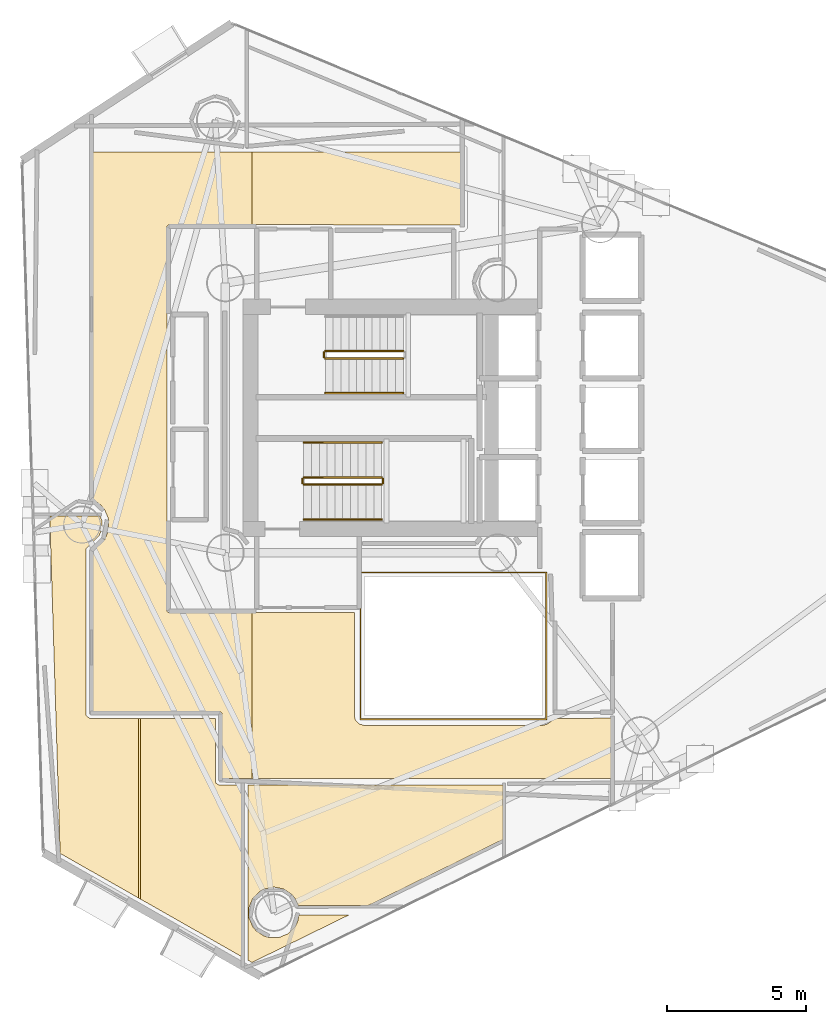
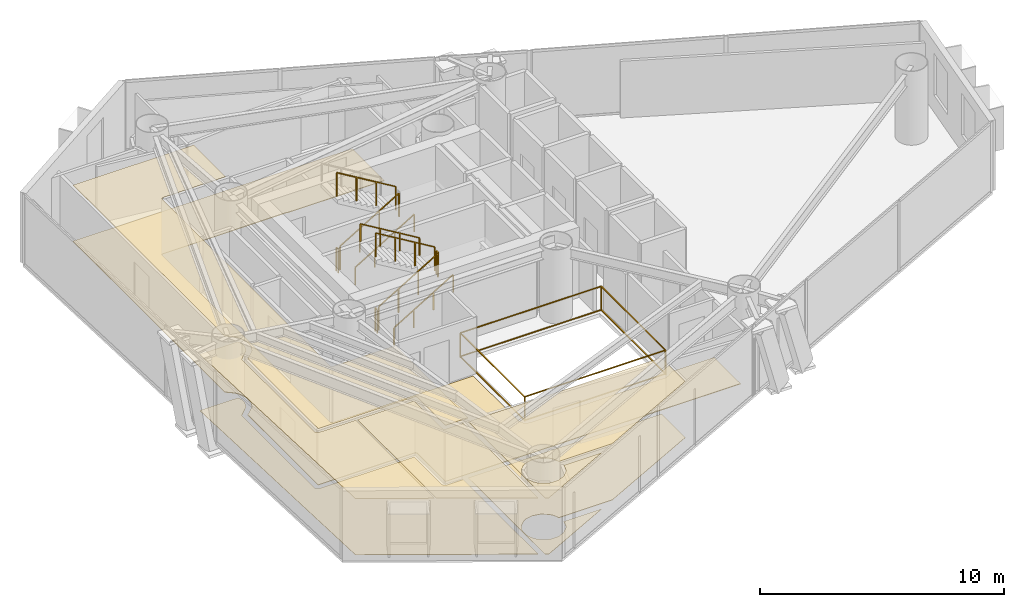
# One storey, part 21 of 22: 11 railings, 7 coverings.
"""IFC4 building model written with IfcOpenShell, lengths in metres."""

from ifc_helpers import new_model, si_unit, direction, frame, origin, origin_2d, place, context, subcontext, project, spatial, polyline, rectangle, outline, extrude, material, layer, layer_set, type_object, element, save


model = new_model("IFC4")

# Units and contexts
model_context = context("Model", 3, precision=1e-05, world=origin(), true_north=direction((0.0, 1.0)))
body_context = subcontext(model_context, "Body", "Model", "MODEL_VIEW")
ifc_project = project(units=[si_unit("LENGTHUNIT", "METRE"), si_unit("AREAUNIT", "SQUARE_METRE"), si_unit("VOLUMEUNIT", "CUBIC_METRE"), si_unit("PLANEANGLEUNIT", "RADIAN"), si_unit("MASSUNIT", "GRAM", prefix="KILO")], contexts=[model_context])

# Site, building, storey
site_placement = place(None, origin())
site = spatial("IfcSite", under=ifc_project, at=site_placement, CompositionType="ELEMENT")
building_placement = place(site_placement, origin())
building = spatial("IfcBuilding", under=site, at=building_placement, Name="Qianvela Tower", CompositionType="ELEMENT")
storey_placement = place(building_placement, frame((0.0, 0.0, 158.699951171875)))
storey = spatial("IfcBuildingStorey", under=building, at=storey_placement, Name="L40", CompositionType="ELEMENT", Elevation=158.699951171875)

# Coverings
ifc_material_1 = material(Name="Perforated Mineral Acoustic Ceiling Tile")
ifc_layer_1 = layer(ifc_material_1, 0.02490234375)
ifc_layer_set_1 = layer_set([ifc_layer_1], Name="Perforated Mineral Acoustic Ceiling Tile")
covering_type_1 = type_object("IfcCoveringType", Name="COV-CEIL-ACOUSTIC-25", PredefinedType="CEILING", material=ifc_layer_set_1)
covering_1_placement = place(storey_placement, frame((0.0, 0.0, 2.81494140625)))
element("IfcCovering", 1, at=covering_1_placement, inside=storey, type_object=covering_type_1, Name="L40 Acoustic Ceiling Bay 1 L40 Floor Corridor", PredefinedType="CEILING", context=body_context, shape_type="SweptSolid", body=[
    extrude(outline(polyline([(24.4033203125, 25.04150390625), (24.40234375, 25.04931640625), (24.400390625, 25.056884765625), (24.397705078125, 25.064208984375), (24.26416015625, 25.386962890625), (24.2607421875, 25.393798828125), (24.256591796875, 25.400634765625), (24.251953125, 25.406982421875), (24.140625, 25.54248046875), (24.135498046875, 25.54833984375), (24.129638671875, 25.5537109375), (23.830078125, 25.799560546875), (23.830078125, 38.27001953125), (29.55615234375, 38.27001953125), (29.55615234375, 35.651123046875), (26.57958984375, 35.639892578125), (26.572021484375, 35.6396484375), (26.564208984375, 35.638427734375), (26.556396484375, 35.636474609375), (26.54931640625, 35.6337890625), (26.5419921875, 35.630615234375), (26.535400390625, 35.62646484375), (26.529052734375, 35.62158203125), (26.523193359375, 35.616455078125), (26.51806640625, 35.610595703125), (26.513427734375, 35.6044921875), (26.509521484375, 35.59765625), (26.506103515625, 35.590576171875), (26.50341796875, 35.583251953125), (26.50146484375, 35.57568359375), (26.50048828125, 35.56787109375), (26.5, 35.56005859375), (26.5, 21.780029296875), (26.50048828125, 21.772216796875), (26.50146484375, 21.764404296875), (26.50341796875, 21.7568359375), (26.506103515625, 21.74951171875), (26.509521484375, 21.7421875), (26.513427734375, 21.735595703125), (26.518310546875, 21.729248046875), (26.5234375, 21.723388671875), (26.529296875, 21.71826171875), (26.53564453125, 21.71337890625), (26.542236328125, 21.70947265625), (26.54931640625, 21.7060546875), (26.556884765625, 21.703369140625), (26.564453125, 21.701416015625), (26.572265625, 21.700439453125), (26.580078125, 21.699951171875), (29.55615234375, 21.699951171875), (29.55615234375, 15.72998046875), (28.47998046875, 15.72998046875), (28.47998046875, 18.050048828125), (28.4794921875, 18.057861328125), (28.478515625, 18.065673828125), (28.4765625, 18.0732421875), (28.473876953125, 18.08056640625), (28.470703125, 18.087646484375), (28.466552734375, 18.094482421875), (28.4619140625, 18.100830078125), (28.45654296875, 18.106689453125), (28.45068359375, 18.11181640625), (28.4443359375, 18.116455078125), (28.437744140625, 18.12060546875), (28.4306640625, 18.123779296875), (28.423095703125, 18.126708984375), (28.41552734375, 18.12841796875), (28.40771484375, 18.129638671875), (28.39990234375, 18.1298828125), (23.830078125, 18.1298828125), (23.830078125, 23.921142578125), (24.244384765625, 24.302978515625), (24.25048828125, 24.30908203125), (24.255859375, 24.31591796875), (24.26025390625, 24.3232421875), (24.26416015625, 24.3310546875), (24.397705078125, 24.65380859375), (24.400390625, 24.6611328125), (24.40234375, 24.668701171875), (24.4033203125, 24.676513671875), (24.40380859375, 24.684326171875), (24.40380859375, 25.03369140625), (24.4033203125, 25.04150390625)])), origin(), (0.0, 0.0, 1.0), 0.025146484375),
])
covering_2_placement = place(storey_placement, frame((0.0, 0.0, 2.81494140625)))
element("IfcCovering", 2, at=covering_2_placement, inside=storey, type_object=covering_type_1, Name="L40 Acoustic Ceiling Bay 1 Maker Craft Workshop L40-01", PredefinedType="CEILING", context=body_context, shape_type="SweptSolid", body=[
    extrude(outline(polyline([(24.0908203125, 25.177978515625), (24.163818359375, 25.001708984375), (24.163818359375, 24.71630859375), (24.055419921875, 24.454345703125), (23.614501953125, 24.021484375), (23.60888671875, 24.015869140625), (23.604248046875, 24.009521484375), (23.60009765625, 24.002685546875), (23.5966796875, 23.995361328125), (23.593994140625, 23.988037109375), (23.592041015625, 23.980224609375), (23.5908203125, 23.972412109375), (23.59033203125, 23.964599609375), (23.593505859375, 18.026611328125), (23.593994140625, 18.0185546875), (23.59521484375, 18.01025390625), (23.597412109375, 18.002197265625), (23.60009765625, 17.994384765625), (23.60400390625, 17.987060546875), (23.6083984375, 17.980224609375), (23.613525390625, 17.9736328125), (23.619384765625, 17.9677734375), (23.625732421875, 17.96240234375), (23.702392578125, 17.90576171875), (23.70849609375, 17.901611328125), (23.71484375, 17.898193359375), (23.721435546875, 17.895263671875), (23.728515625, 17.89306640625), (23.735595703125, 17.891357421875), (23.74267578125, 17.890380859375), (23.75, 17.889892578125), (25.469482421875, 17.889892578125), (25.469482421875, 11.437255859375), (22.657470703125, 13.03662109375), (22.2841796875, 25.177978515625), (24.0908203125, 25.177978515625)])), origin(), (0.0, 0.0, 1.0), 0.025146484375),
])
covering_3_placement = place(storey_placement, frame((0.0, 0.0, 2.81494140625)))
element("IfcCovering", 3, at=covering_3_placement, inside=storey, type_object=covering_type_1, Name="L40 Acoustic Ceiling Bay 2 Maker Craft Workshop L40-01", PredefinedType="CEILING", context=body_context, shape_type="SweptSolid", body=[
    extrude(outline(polyline([(28.240234375, 17.889892578125), (28.24609375, 15.619140625), (28.24658203125, 15.61083984375), (28.247802734375, 15.602783203125), (28.25, 15.5947265625), (28.2529296875, 15.587158203125), (28.256591796875, 15.57958984375), (28.260986328125, 15.57275390625), (28.266357421875, 15.56640625), (28.272216796875, 15.560302734375), (28.2783203125, 15.55517578125), (28.344482421875, 15.506103515625), (28.3515625, 15.50146484375), (28.359130859375, 15.49755859375), (28.366943359375, 15.494384765625), (28.375244140625, 15.4921875), (28.383544921875, 15.49072265625), (28.39208984375, 15.490478515625), (29.177978515625, 15.489990234375), (29.177978515625, 9.328369140625), (25.54931640625, 11.391845703125), (25.54931640625, 17.889892578125), (28.240234375, 17.889892578125)])), origin(), (0.0, 0.0, 1.0), 0.025146484375),
])
covering_4_placement = place(storey_placement, frame((0.0, 0.0, 2.81494140625)))
element("IfcCovering", 4, at=covering_4_placement, inside=storey, type_object=covering_type_1, Name="L40 Acoustic Ceiling Student Reading Library L40-02", PredefinedType="CEILING", context=body_context, shape_type="SweptSolid", body=[
    extrude(outline(polyline([(38.577880859375, 13.535400390625), (33.75048828125, 11.1689453125), (31.2158203125, 11.16259765625), (31.114990234375, 11.40380859375), (31.11181640625, 11.410888671875), (31.107666015625, 11.41748046875), (31.10302734375, 11.423583984375), (30.999267578125, 11.55029296875), (30.993896484375, 11.555908203125), (30.98828125, 11.561279296875), (30.98193359375, 11.56591796875), (30.7109375, 11.7470703125), (30.704345703125, 11.7509765625), (30.697265625, 11.75439453125), (30.689697265625, 11.757080078125), (30.68212890625, 11.7587890625), (30.362548828125, 11.822509765625), (30.354736328125, 11.823486328125), (30.346923828125, 11.823974609375), (30.339111328125, 11.823486328125), (30.331298828125, 11.822509765625), (30.011962890625, 11.7587890625), (30.004150390625, 11.757080078125), (29.996826171875, 11.75439453125), (29.98974609375, 11.7509765625), (29.845458984375, 11.673828125), (29.838623046875, 11.669921875), (29.832275390625, 11.6650390625), (29.826416015625, 11.659912109375), (29.59619140625, 11.429443359375), (29.5908203125, 11.423583984375), (29.586181640625, 11.417236328125), (29.582275390625, 11.41064453125), (29.578857421875, 11.403564453125), (29.4541015625, 11.1025390625), (29.451416015625, 11.09521484375), (29.44970703125, 11.08740234375), (29.448486328125, 11.07958984375), (29.447998046875, 11.072021484375), (29.447998046875, 10.74609375), (29.448486328125, 10.73828125), (29.44970703125, 10.73046875), (29.451416015625, 10.722900390625), (29.4541015625, 10.715576171875), (29.578857421875, 10.41455078125), (29.582275390625, 10.407470703125), (29.586181640625, 10.400634765625), (29.5908203125, 10.394287109375), (29.694580078125, 10.267822265625), (29.699951171875, 10.261962890625), (29.705810546875, 10.256591796875), (29.712158203125, 10.251953125), (29.98291015625, 10.071044921875), (29.98974609375, 10.06689453125), (29.996826171875, 10.063720703125), (30.004150390625, 10.06103515625), (30.160888671875, 10.013427734375), (30.16845703125, 10.01171875), (30.17626953125, 10.010498046875), (30.18408203125, 10.010009765625), (30.510009765625, 10.010009765625), (30.517578125, 10.010498046875), (30.525390625, 10.01171875), (30.533203125, 10.013427734375), (30.54052734375, 10.01611328125), (30.841552734375, 10.140869140625), (30.8486328125, 10.144287109375), (30.855224609375, 10.148193359375), (30.86181640625, 10.15283203125), (30.867431640625, 10.158203125), (31.097900390625, 10.388427734375), (31.10302734375, 10.394287109375), (31.10791015625, 10.400634765625), (31.11181640625, 10.407470703125), (31.18896484375, 10.5517578125), (31.1923828125, 10.558837890625), (31.195068359375, 10.566162109375), (31.197021484375, 10.57373046875), (31.246826171875, 10.82275390625), (33.053466796875, 10.8271484375), (29.556396484375, 9.113037109375), (29.422119140625, 9.189453125), (29.422119140625, 15.489990234375), (38.577880859375, 15.489990234375), (38.577880859375, 13.535400390625)])), origin(), (0.0, 0.0, 1.0), 0.025146484375),
])
ifc_material_2 = material(Name="Engineered Acoustic Oak Timber Flooring", Category="wood")
ifc_layer_2 = layer(ifc_material_2, 0.02001953125)
ifc_layer_set_2 = layer_set([ifc_layer_2], Name="Engineered Acoustic Oak Timber Flooring")
covering_type_2 = type_object("IfcCoveringType", Name="COV-FLOOR-OAK-20", PredefinedType="FLOORING", material=ifc_layer_set_2)
covering_5_placement = place(storey_placement, origin())
element("IfcCovering", 5, at=covering_5_placement, inside=storey, type_object=covering_type_2, Name="L40 Finish Flooring Maker Craft Workshop L40-01", PredefinedType="FLOORING", context=body_context, shape_type="SweptSolid", body=[
    extrude(outline(polyline([(22.2841796875, 25.177978515625), (24.0908203125, 25.177978515625), (24.163818359375, 25.001708984375), (24.163818359375, 24.71630859375), (24.055419921875, 24.454345703125), (23.614501953125, 24.021484375), (23.60888671875, 24.015869140625), (23.604248046875, 24.009521484375), (23.60009765625, 24.002685546875), (23.5966796875, 23.995361328125), (23.593994140625, 23.988037109375), (23.592041015625, 23.980224609375), (23.5908203125, 23.972412109375), (23.59033203125, 23.964599609375), (23.593505859375, 18.026611328125), (23.593994140625, 18.0185546875), (23.59521484375, 18.01025390625), (23.597412109375, 18.002197265625), (23.60009765625, 17.994384765625), (23.60400390625, 17.987060546875), (23.6083984375, 17.980224609375), (23.613525390625, 17.9736328125), (23.619384765625, 17.9677734375), (23.625732421875, 17.96240234375), (23.702392578125, 17.90576171875), (23.70849609375, 17.901611328125), (23.71484375, 17.898193359375), (23.721435546875, 17.895263671875), (23.728515625, 17.89306640625), (23.735595703125, 17.891357421875), (23.74267578125, 17.890380859375), (23.75, 17.889892578125), (28.240234375, 17.889892578125), (28.24609375, 15.619140625), (28.24658203125, 15.61083984375), (28.247802734375, 15.602783203125), (28.25, 15.5947265625), (28.2529296875, 15.587158203125), (28.256591796875, 15.57958984375), (28.260986328125, 15.57275390625), (28.266357421875, 15.56640625), (28.272216796875, 15.560302734375), (28.2783203125, 15.55517578125), (28.344482421875, 15.506103515625), (28.3515625, 15.50146484375), (28.359130859375, 15.49755859375), (28.366943359375, 15.494384765625), (28.375244140625, 15.4921875), (28.383544921875, 15.49072265625), (28.39208984375, 15.490478515625), (29.177978515625, 15.489990234375), (29.177978515625, 9.328369140625), (22.657470703125, 13.03662109375), (22.2841796875, 25.177978515625)])), origin(), (0.0, 0.0, 1.0), 0.02001953125),
])
covering_6_placement = place(storey_placement, origin())
element("IfcCovering", 6, at=covering_6_placement, inside=storey, type_object=covering_type_2, Name="L40 Finish Flooring Student Reading Library L40-02", PredefinedType="FLOORING", context=body_context, shape_type="SweptSolid", body=[
    extrude(outline(polyline([(38.577880859375, 13.535400390625), (33.75048828125, 11.1689453125), (31.2158203125, 11.16259765625), (31.114990234375, 11.40380859375), (31.11181640625, 11.410888671875), (31.107666015625, 11.41748046875), (31.10302734375, 11.423583984375), (30.999267578125, 11.55029296875), (30.993896484375, 11.555908203125), (30.98828125, 11.561279296875), (30.98193359375, 11.56591796875), (30.7109375, 11.7470703125), (30.704345703125, 11.7509765625), (30.697265625, 11.75439453125), (30.689697265625, 11.757080078125), (30.68212890625, 11.7587890625), (30.362548828125, 11.822509765625), (30.354736328125, 11.823486328125), (30.346923828125, 11.823974609375), (30.339111328125, 11.823486328125), (30.331298828125, 11.822509765625), (30.011962890625, 11.7587890625), (30.004150390625, 11.757080078125), (29.996826171875, 11.75439453125), (29.98974609375, 11.7509765625), (29.845458984375, 11.673828125), (29.838623046875, 11.669921875), (29.832275390625, 11.6650390625), (29.826416015625, 11.659912109375), (29.59619140625, 11.429443359375), (29.5908203125, 11.423583984375), (29.586181640625, 11.417236328125), (29.582275390625, 11.41064453125), (29.578857421875, 11.403564453125), (29.4541015625, 11.1025390625), (29.451416015625, 11.09521484375), (29.44970703125, 11.08740234375), (29.448486328125, 11.07958984375), (29.447998046875, 11.072021484375), (29.447998046875, 10.74609375), (29.448486328125, 10.73828125), (29.44970703125, 10.73046875), (29.451416015625, 10.722900390625), (29.4541015625, 10.715576171875), (29.578857421875, 10.41455078125), (29.582275390625, 10.407470703125), (29.586181640625, 10.400634765625), (29.5908203125, 10.394287109375), (29.694580078125, 10.267822265625), (29.699951171875, 10.261962890625), (29.705810546875, 10.256591796875), (29.712158203125, 10.251953125), (29.98291015625, 10.071044921875), (29.98974609375, 10.06689453125), (29.996826171875, 10.063720703125), (30.004150390625, 10.06103515625), (30.160888671875, 10.013427734375), (30.16845703125, 10.01171875), (30.17626953125, 10.010498046875), (30.18408203125, 10.010009765625), (30.510009765625, 10.010009765625), (30.517578125, 10.010498046875), (30.525390625, 10.01171875), (30.533203125, 10.013427734375), (30.54052734375, 10.01611328125), (30.841552734375, 10.140869140625), (30.8486328125, 10.144287109375), (30.855224609375, 10.148193359375), (30.86181640625, 10.15283203125), (30.867431640625, 10.158203125), (31.097900390625, 10.388427734375), (31.10302734375, 10.394287109375), (31.10791015625, 10.400634765625), (31.11181640625, 10.407470703125), (31.18896484375, 10.5517578125), (31.1923828125, 10.558837890625), (31.195068359375, 10.566162109375), (31.197021484375, 10.57373046875), (31.246826171875, 10.82275390625), (33.053466796875, 10.8271484375), (29.556396484375, 9.113037109375), (29.422119140625, 9.189453125), (29.422119140625, 15.489990234375), (38.577880859375, 15.489990234375), (38.577880859375, 13.535400390625)])), origin(), (0.0, 0.0, 1.0), 0.02001953125),
])
ifc_material_3 = material(Name="Honed Stone Terrazzo Flooring", Category="masonry")
ifc_layer_3 = layer(ifc_material_3, 0.030029296875)
ifc_layer_set_3 = layer_set([ifc_layer_3], Name="Honed Stone Terrazzo Flooring")
covering_type_3 = type_object("IfcCoveringType", Name="COV-FLOOR-TERRAZZO-30", PredefinedType="FLOORING", material=ifc_layer_set_3)
covering_7_placement = place(storey_placement, origin())
element("IfcCovering", 7, at=covering_7_placement, inside=storey, type_object=covering_type_3, Name="L40 Finish Flooring L40 Floor Corridor", PredefinedType="FLOORING", context=body_context, shape_type="SweptSolid", body=[
    extrude(outline(polyline([(24.40380859375, 25.03369140625), (24.4033203125, 25.04150390625), (24.40234375, 25.04931640625), (24.400390625, 25.056884765625), (24.397705078125, 25.064208984375), (24.26416015625, 25.386962890625), (24.2607421875, 25.393798828125), (24.256591796875, 25.400634765625), (24.251953125, 25.406982421875), (24.140625, 25.54248046875), (24.135498046875, 25.54833984375), (24.129638671875, 25.5537109375), (23.830078125, 25.799560546875), (23.830078125, 38.27001953125), (37.070068359375, 38.27001953125), (37.070068359375, 35.639892578125), (32.5244140625, 35.639892578125), (32.43798828125, 35.659912109375), (32.428955078125, 35.66162109375), (32.419677734375, 35.662109375), (26.57958984375, 35.639892578125), (26.572021484375, 35.6396484375), (26.564208984375, 35.638427734375), (26.556396484375, 35.636474609375), (26.54931640625, 35.6337890625), (26.5419921875, 35.630615234375), (26.535400390625, 35.62646484375), (26.529052734375, 35.62158203125), (26.523193359375, 35.616455078125), (26.51806640625, 35.610595703125), (26.513427734375, 35.6044921875), (26.509521484375, 35.59765625), (26.506103515625, 35.590576171875), (26.50341796875, 35.583251953125), (26.50146484375, 35.57568359375), (26.50048828125, 35.56787109375), (26.5, 35.56005859375), (26.5, 21.780029296875), (26.50048828125, 21.772216796875), (26.50146484375, 21.764404296875), (26.50341796875, 21.7568359375), (26.506103515625, 21.74951171875), (26.509521484375, 21.7421875), (26.513427734375, 21.735595703125), (26.518310546875, 21.729248046875), (26.5234375, 21.723388671875), (26.529296875, 21.71826171875), (26.53564453125, 21.71337890625), (26.542236328125, 21.70947265625), (26.54931640625, 21.7060546875), (26.556884765625, 21.703369140625), (26.564453125, 21.701416015625), (26.572265625, 21.700439453125), (26.580078125, 21.699951171875), (33.239990234375, 21.699951171875), (33.239990234375, 18.0), (33.240478515625, 17.990234375), (33.242431640625, 17.980712890625), (33.275390625, 17.8486328125), (33.277587890625, 17.841064453125), (33.28076171875, 17.833740234375), (33.284423828125, 17.826904296875), (33.288818359375, 17.8203125), (33.293701171875, 17.814208984375), (33.38525390625, 17.71337890625), (33.391357421875, 17.70751953125), (33.398193359375, 17.701904296875), (33.405517578125, 17.697509765625), (33.4130859375, 17.693603515625), (33.421142578125, 17.690673828125), (33.576904296875, 17.643310546875), (33.58447265625, 17.6416015625), (33.59228515625, 17.640380859375), (33.60009765625, 17.639892578125), (40.0, 17.639892578125), (40.006591796875, 17.640380859375), (40.012939453125, 17.64111328125), (40.019287109375, 17.642333984375), (40.1513671875, 17.675537109375), (40.15869140625, 17.677734375), (40.166015625, 17.6806640625), (40.172607421875, 17.68408203125), (40.17919921875, 17.6884765625), (40.45947265625, 17.89306640625), (42.469970703125, 17.899658203125), (42.469970703125, 15.72998046875), (28.47998046875, 15.72998046875), (28.47998046875, 18.050048828125), (28.4794921875, 18.057861328125), (28.478515625, 18.065673828125), (28.4765625, 18.0732421875), (28.473876953125, 18.08056640625), (28.470703125, 18.087646484375), (28.466552734375, 18.094482421875), (28.4619140625, 18.100830078125), (28.45654296875, 18.106689453125), (28.45068359375, 18.11181640625), (28.4443359375, 18.116455078125), (28.437744140625, 18.12060546875), (28.4306640625, 18.123779296875), (28.423095703125, 18.126708984375), (28.41552734375, 18.12841796875), (28.40771484375, 18.129638671875), (28.39990234375, 18.1298828125), (23.830078125, 18.1298828125), (23.830078125, 23.921142578125), (24.244384765625, 24.302978515625), (24.25048828125, 24.30908203125), (24.255859375, 24.31591796875), (24.26025390625, 24.3232421875), (24.26416015625, 24.3310546875), (24.397705078125, 24.65380859375), (24.400390625, 24.6611328125), (24.40234375, 24.668701171875), (24.4033203125, 24.676513671875), (24.40380859375, 24.684326171875), (24.40380859375, 25.03369140625)])), origin(), (0.0, 0.0, 1.0), 0.030029296875),
])

# Railings
ifc_material_4 = material(Name="Laminated Safety Glass and Stainless Steel 316", Category="steel")
railing_type_1 = type_object("IfcRailingType", Name="RL-ATRIUM-GUARD-1250", PredefinedType="GUARDRAIL", material=ifc_material_4)
railing_1_placement = place(storey_placement, frame((33.4599609375, 17.860107421875, 0.0)))
element("IfcRailing", 8, at=railing_1_placement, inside=storey, type_object=railing_type_1, Name="L40 Atrium Edge Guardrail 1", PredefinedType="GUARDRAIL", context=body_context, shape_type="SweptSolid", body=[
    extrude(rectangle(XDim=0.050048828125, YDim=0.0400390625, at=origin_2d()), frame((0.0, 0.0, 1.22998046875), z_axis=(0.0, 1.0, 0.0), x_axis=(-1.0, 0.0, 0.0)), (0.0, 0.0, 1.0), 5.27978515625),
    extrude(rectangle(XDim=0.050048828125, YDim=0.0400390625, at=origin_2d()), frame((0.0, 0.0, 0.050048828125), z_axis=(0.0, 1.0, 0.0), x_axis=(-1.0, 0.0, 0.0)), (0.0, 0.0, 1.0), 5.27978515625),
    extrude(rectangle(XDim=0.050048828125, YDim=0.0400390625, at=origin_2d()), frame((0.0, 5.27978515625, 1.22998046875), z_axis=(1.0, 0.0, 0.0), x_axis=(0.0, 1.0, 0.0)), (0.0, 0.0, 1.0), 6.679931640625),
    extrude(rectangle(XDim=0.050048828125, YDim=0.0400390625, at=origin_2d()), frame((0.0, 5.27978515625, 0.050048828125), z_axis=(1.0, 0.0, 0.0), x_axis=(0.0, 1.0, 0.0)), (0.0, 0.0, 1.0), 6.679931640625),
    extrude(rectangle(XDim=0.050048828125, YDim=0.0400390625, at=origin_2d()), frame((6.679931640625, 5.27978515625, 1.22998046875), z_axis=(0.0, -1.0, 0.0), x_axis=(1.0, 0.0, 0.0)), (0.0, 0.0, 1.0), 5.27978515625),
    extrude(rectangle(XDim=0.050048828125, YDim=0.0400390625, at=origin_2d()), frame((6.679931640625, 5.27978515625, 0.050048828125), z_axis=(0.0, -1.0, 0.0), x_axis=(1.0, 0.0, 0.0)), (0.0, 0.0, 1.0), 5.27978515625),
    extrude(rectangle(XDim=0.050048828125, YDim=0.0400390625, at=origin_2d()), frame((6.679931640625, 0.0, 1.22998046875), z_axis=(-1.0, 0.0, 0.0), x_axis=(0.0, -1.0, 0.0)), (0.0, 0.0, 1.0), 6.679931640625),
    extrude(rectangle(XDim=0.050048828125, YDim=0.0400390625, at=origin_2d()), frame((6.679931640625, 0.0, 0.050048828125), z_axis=(-1.0, 0.0, 0.0), x_axis=(0.0, -1.0, 0.0)), (0.0, 0.0, 1.0), 6.679931640625),
    extrude(rectangle(XDim=0.050048828125, YDim=0.050048828125, at=origin_2d()), origin(), (0.0, 0.0, 1.0), 1.2099609375),
    extrude(rectangle(XDim=0.050048828125, YDim=0.050048828125, at=origin_2d()), frame((0.0, 5.27978515625, 0.0)), (0.0, 0.0, 1.0), 1.2099609375),
    extrude(rectangle(XDim=0.050048828125, YDim=0.050048828125, at=origin_2d()), frame((6.679931640625, 5.27978515625, 0.0)), (0.0, 0.0, 1.0), 1.2099609375),
    extrude(rectangle(XDim=0.050048828125, YDim=0.050048828125, at=origin_2d()), frame((6.679931640625, 0.0, 0.0)), (0.0, 0.0, 1.0), 1.2099609375),
])
ifc_material_5 = material(Name="Painted Tubular Steel Q355B", Category="steel")
railing_type_2 = type_object("IfcRailingType", Name="RL-STAIR-GUARD-1200", PredefinedType="GUARDRAIL", material=ifc_material_5)
railing_2_placement = place(storey_placement, frame((32.199951171875, 30.840087890625, 0.168212890625)))
element("IfcRailing", 9, at=railing_2_placement, inside=storey, type_object=railing_type_2, Name="L40 ST-1 stair guard 1", PredefinedType="GUARDRAIL", context=body_context, shape_type="SweptSolid", body=[
    extrude(rectangle(XDim=0.050048828125, YDim=0.0400390625, at=origin_2d()), frame((0.0, 0.0, 1.179931640625), z_axis=(0.857242210791, 0.0, 0.514913383045), x_axis=(0.0, 1.0, 0.0)), (0.0, 0.0, 1.0), 3.266357421875),
    extrude(rectangle(XDim=0.050048828125, YDim=0.050048828125, at=origin_2d()), origin(), (0.0, 0.0, 1.0), 1.159912109375),
    extrude(rectangle(XDim=0.050048828125, YDim=0.050048828125, at=origin_2d()), frame((0.933349609375, 0.0, 0.560546875)), (0.0, 0.0, 1.0), 1.159912109375),
    extrude(rectangle(XDim=0.050048828125, YDim=0.050048828125, at=origin_2d()), frame((1.86669921875, 0.0, 1.121337890625)), (0.0, 0.0, 1.0), 1.159912109375),
    extrude(rectangle(XDim=0.050048828125, YDim=0.050048828125, at=origin_2d()), frame((2.800048828125, 0.0, 1.681884765625)), (0.0, 0.0, 1.0), 1.159912109375),
])
railing_3_placement = place(storey_placement, frame((35.0, 31.10009765625, 2.018310546875)))
element("IfcRailing", 10, at=railing_3_placement, inside=storey, type_object=railing_type_2, Name="L40 ST-1 stair guard 3", PredefinedType="GUARDRAIL", context=body_context, shape_type="SweptSolid", body=[
    extrude(rectangle(XDim=0.050048828125, YDim=0.0400390625, at=origin_2d()), frame((0.0, 0.0, 1.179931640625), z_axis=(-0.857275202839, 0.0, 0.514858452973), x_axis=(0.0, -1.0, 0.0)), (0.0, 0.0, 1.0), 3.26611328125),
    extrude(rectangle(XDim=0.050048828125, YDim=0.050048828125, at=origin_2d()), origin(), (0.0, 0.0, 1.0), 1.159912109375),
    extrude(rectangle(XDim=0.050048828125, YDim=0.050048828125, at=origin_2d()), frame((-0.933349609375, 0.0, 0.560546875)), (0.0, 0.0, 1.0), 1.159912109375),
    extrude(rectangle(XDim=0.050048828125, YDim=0.050048828125, at=origin_2d()), frame((-1.86669921875, 0.0, 1.12109375)), (0.0, 0.0, 1.0), 1.159912109375),
    extrude(rectangle(XDim=0.050048828125, YDim=0.050048828125, at=origin_2d()), frame((-2.800048828125, 0.0, 1.681640625)), (0.0, 0.0, 1.0), 1.159912109375),
])
railing_4_placement = place(storey_placement, frame((32.14990234375, 30.889892578125, 0.0)))
element("IfcRailing", 11, at=railing_4_placement, inside=storey, type_object=railing_type_2, Name="L40 ST-1 stair guard 4", PredefinedType="GUARDRAIL", context=body_context, shape_type="SweptSolid", body=[
    extrude(rectangle(XDim=0.050048828125, YDim=0.0400390625, at=origin_2d()), frame((0.0, 0.0, 1.179931640625), z_axis=(0.0, 1.0, 0.0), x_axis=(-1.0, 0.0, 0.0)), (0.0, 0.0, 1.0), 0.16015625),
    extrude(rectangle(XDim=0.050048828125, YDim=0.050048828125, at=origin_2d()), origin(), (0.0, 0.0, 1.0), 1.159912109375),
    extrude(rectangle(XDim=0.050048828125, YDim=0.050048828125, at=origin_2d()), frame((0.0, 0.16015625, 0.0)), (0.0, 0.0, 1.0), 1.159912109375),
])
railing_5_placement = place(storey_placement, frame((31.419921875, 26.300048828125, 0.168212890625)))
element("IfcRailing", 12, at=railing_5_placement, inside=storey, type_object=railing_type_2, Name="L40 ST-2 stair guard 1", PredefinedType="GUARDRAIL", context=body_context, shape_type="SweptSolid", body=[
    extrude(rectangle(XDim=0.050048828125, YDim=0.0400390625, at=origin_2d()), frame((0.0, 0.0, 1.179931640625), z_axis=(0.857242210791, 0.0, 0.514913383045), x_axis=(0.0, 1.0, 0.0)), (0.0, 0.0, 1.0), 3.266357421875),
    extrude(rectangle(XDim=0.050048828125, YDim=0.050048828125, at=origin_2d()), origin(), (0.0, 0.0, 1.0), 1.159912109375),
    extrude(rectangle(XDim=0.050048828125, YDim=0.050048828125, at=origin_2d()), frame((0.933349609375, 0.0, 0.560546875)), (0.0, 0.0, 1.0), 1.159912109375),
    extrude(rectangle(XDim=0.050048828125, YDim=0.050048828125, at=origin_2d()), frame((1.86669921875, 0.0, 1.121337890625)), (0.0, 0.0, 1.0), 1.159912109375),
    extrude(rectangle(XDim=0.050048828125, YDim=0.050048828125, at=origin_2d()), frame((2.800048828125, 0.0, 1.681884765625)), (0.0, 0.0, 1.0), 1.159912109375),
])
railing_6_placement = place(storey_placement, frame((34.27001953125, 26.35009765625, 1.85009765625)))
element("IfcRailing", 13, at=railing_6_placement, inside=storey, type_object=railing_type_2, Name="L40 ST-2 stair guard 2", PredefinedType="GUARDRAIL", context=body_context, shape_type="SweptSolid", body=[
    extrude(rectangle(XDim=0.050048828125, YDim=0.0400390625, at=origin_2d()), frame((0.0, 0.0, 1.179931640625), z_axis=(0.0, 1.0, 0.0), x_axis=(-1.0, 0.0, 0.0)), (0.0, 0.0, 1.0), 0.159912109375),
    extrude(rectangle(XDim=0.050048828125, YDim=0.050048828125, at=origin_2d()), origin(), (0.0, 0.0, 1.0), 1.159912109375),
    extrude(rectangle(XDim=0.050048828125, YDim=0.050048828125, at=origin_2d()), frame((0.0, 0.159912109375, 0.0)), (0.0, 0.0, 1.0), 1.159912109375),
])
railing_7_placement = place(storey_placement, frame((34.219970703125, 26.56005859375, 2.018310546875)))
element("IfcRailing", 14, at=railing_7_placement, inside=storey, type_object=railing_type_2, Name="L40 ST-2 stair guard 3", PredefinedType="GUARDRAIL", context=body_context, shape_type="SweptSolid", body=[
    extrude(rectangle(XDim=0.050048828125, YDim=0.0400390625, at=origin_2d()), frame((0.0, 0.0, 1.179931640625), z_axis=(-0.857275202839, 0.0, 0.514858452973), x_axis=(0.0, -1.0, 0.0)), (0.0, 0.0, 1.0), 3.26611328125),
    extrude(rectangle(XDim=0.050048828125, YDim=0.050048828125, at=origin_2d()), origin(), (0.0, 0.0, 1.0), 1.159912109375),
    extrude(rectangle(XDim=0.050048828125, YDim=0.050048828125, at=origin_2d()), frame((-0.933349609375, 0.0, 0.560546875)), (0.0, 0.0, 1.0), 1.159912109375),
    extrude(rectangle(XDim=0.050048828125, YDim=0.050048828125, at=origin_2d()), frame((-1.86669921875, 0.0, 1.12109375)), (0.0, 0.0, 1.0), 1.159912109375),
    extrude(rectangle(XDim=0.050048828125, YDim=0.050048828125, at=origin_2d()), frame((-2.800048828125, 0.0, 1.681640625)), (0.0, 0.0, 1.0), 1.159912109375),
])
railing_8_placement = place(storey_placement, frame((31.3701171875, 26.35009765625, 0.0)))
element("IfcRailing", 15, at=railing_8_placement, inside=storey, type_object=railing_type_2, Name="L40 ST-2 stair guard 4", PredefinedType="GUARDRAIL", context=body_context, shape_type="SweptSolid", body=[
    extrude(rectangle(XDim=0.050048828125, YDim=0.0400390625, at=origin_2d()), frame((0.0, 0.0, 1.179931640625), z_axis=(0.0, 1.0, 0.0), x_axis=(-1.0, 0.0, 0.0)), (0.0, 0.0, 1.0), 0.159912109375),
    extrude(rectangle(XDim=0.050048828125, YDim=0.050048828125, at=origin_2d()), origin(), (0.0, 0.0, 1.0), 1.159912109375),
    extrude(rectangle(XDim=0.050048828125, YDim=0.050048828125, at=origin_2d()), frame((0.0, 0.159912109375, 0.0)), (0.0, 0.0, 1.0), 1.159912109375),
])
ifc_material_6 = material(Name="Brushed Stainless Steel 304", Category="steel")
railing_type_3 = type_object("IfcRailingType", Name="RL-STAIR-HANDRAIL-900", PredefinedType="HANDRAIL", material=ifc_material_6)
for number, where, name in (
    (16, (32.199951171875, 29.590087890625, 0.168212890625), "L40 ST-1 stair handrail 1"),
    (17, (31.419921875, 25.050048828125, 0.168212890625), "L40 ST-2 stair handrail 1"),
):
    element("IfcRailing", number, at=place(storey_placement, frame(where)), inside=storey, type_object=railing_type_3, Name=name, PredefinedType="HANDRAIL", context=body_context, shape_type="SweptSolid", body=[
        extrude(rectangle(XDim=0.050048828125, YDim=0.0400390625, at=origin_2d()), frame((0.0, 0.0, 0.8798828125), z_axis=(0.857242210791, 0.0, 0.514913383045), x_axis=(0.0, 1.0, 0.0)), (0.0, 0.0, 1.0), 3.266357421875),
        extrude(rectangle(XDim=0.050048828125, YDim=0.050048828125, at=origin_2d()), origin(), (0.0, 0.0, 1.0), 0.85986328125),
        extrude(rectangle(XDim=0.050048828125, YDim=0.050048828125, at=origin_2d()), frame((0.933349609375, 0.0, 0.560546875)), (0.0, 0.0, 1.0), 0.85986328125),
        extrude(rectangle(XDim=0.050048828125, YDim=0.050048828125, at=origin_2d()), frame((1.86669921875, 0.0, 1.121337890625)), (0.0, 0.0, 1.0), 0.85986328125),
        extrude(rectangle(XDim=0.050048828125, YDim=0.050048828125, at=origin_2d()), frame((2.800048828125, 0.0, 1.681884765625)), (0.0, 0.0, 1.0), 0.85986328125),
    ])
railing_9_placement = place(storey_placement, frame((34.219970703125, 27.81005859375, 2.018310546875)))
element("IfcRailing", 18, at=railing_9_placement, inside=storey, type_object=railing_type_3, Name="L40 ST-2 stair handrail 2", PredefinedType="HANDRAIL", context=body_context, shape_type="SweptSolid", body=[
    extrude(rectangle(XDim=0.050048828125, YDim=0.0400390625, at=origin_2d()), frame((0.0, 0.0, 0.8798828125), z_axis=(-0.857275202839, 0.0, 0.514858452973), x_axis=(0.0, -1.0, 0.0)), (0.0, 0.0, 1.0), 3.26611328125),
    extrude(rectangle(XDim=0.050048828125, YDim=0.050048828125, at=origin_2d()), origin(), (0.0, 0.0, 1.0), 0.85986328125),
    extrude(rectangle(XDim=0.050048828125, YDim=0.050048828125, at=origin_2d()), frame((-0.933349609375, 0.0, 0.560546875)), (0.0, 0.0, 1.0), 0.85986328125),
    extrude(rectangle(XDim=0.050048828125, YDim=0.050048828125, at=origin_2d()), frame((-1.86669921875, 0.0, 1.12109375)), (0.0, 0.0, 1.0), 0.85986328125),
    extrude(rectangle(XDim=0.050048828125, YDim=0.050048828125, at=origin_2d()), frame((-2.800048828125, 0.0, 1.681640625)), (0.0, 0.0, 1.0), 0.85986328125),
])

save(model, "model.ifc")
